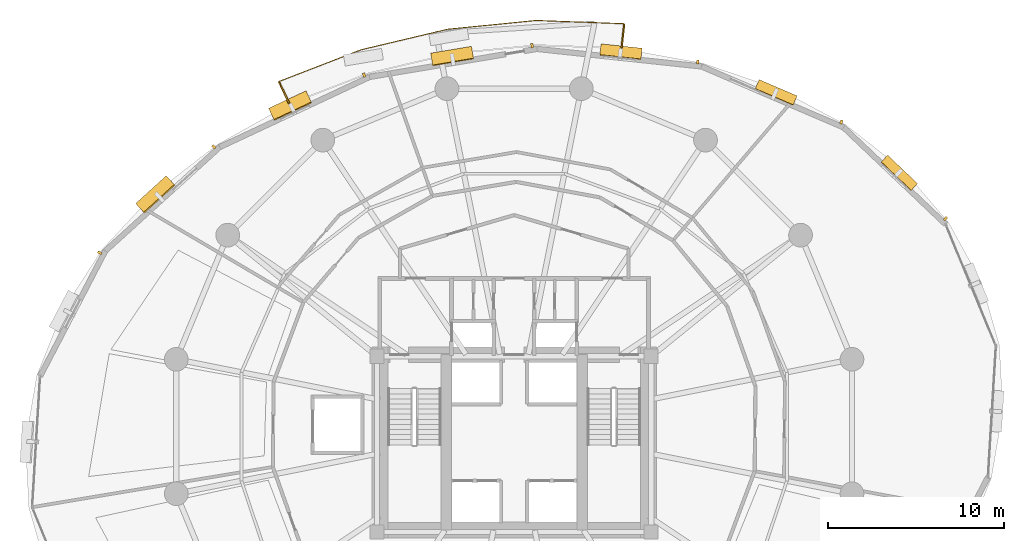
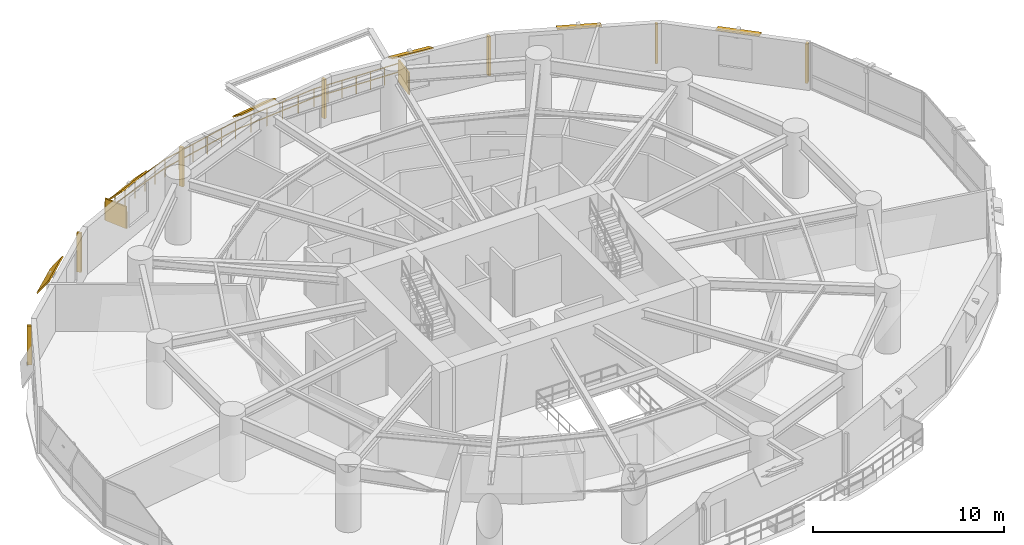
# One storey, part 17 of 17: 15 shading devices, 1 railing.
"""IFC4 building model written with IfcOpenShell, lengths in metres."""

from ifc_helpers import new_model, si_unit, direction, frame, origin, origin_2d, place, context, subcontext, project, spatial, rectangle, extrude, material, layer, layer_set, type_object, element, save


model = new_model("IFC4")

# Units and contexts
model_context = context("Model", 3, precision=1e-05, world=origin(), true_north=direction((0.0, 1.0)))
body_context = subcontext(model_context, "Body", "Model", "MODEL_VIEW")
ifc_project = project(units=[si_unit("LENGTHUNIT", "METRE"), si_unit("AREAUNIT", "SQUARE_METRE"), si_unit("VOLUMEUNIT", "CUBIC_METRE"), si_unit("PLANEANGLEUNIT", "RADIAN"), si_unit("MASSUNIT", "GRAM", prefix="KILO"), si_unit("THERMODYNAMICTEMPERATUREUNIT", "KELVIN"), si_unit("POWERUNIT", "WATT")], contexts=[model_context])

# Site, building, storey
site_placement = place(None, origin())
site = spatial("IfcSite", under=ifc_project, at=site_placement, CompositionType="ELEMENT")
building_placement = place(site_placement, origin())
building = spatial("IfcBuilding", under=site, at=building_placement, Name="Ocrelia Relay Tower", CompositionType="ELEMENT")
storey_placement = place(building_placement, frame((0.0, 0.0, 72.0)))
storey = spatial("IfcBuildingStorey", under=building, at=storey_placement, Name="L16", CompositionType="ELEMENT", Elevation=72.0)

# Railing
ifc_material_1 = material(Name="Steel S355 balustrade", Category="steel")
railing_type = type_object("IfcRailingType", Name="RL-EXT-GUARD-1150", PredefinedType="GUARDRAIL", material=ifc_material_1)
railing_placement = place(storey_placement, frame((21.20751953125, 44.372802734375, 0.0)))
element("IfcRailing", 1, at=railing_placement, inside=storey, type_object=railing_type, Name="L16 Loggia Balcony Guard Rail B1", PredefinedType="GUARDRAIL", context=body_context, shape_type="SweptSolid", body=[
    extrude(rectangle(XDim=0.048095703125, YDim=0.048095703125, at=origin_2d()), frame((0.0, 0.0, 1.1259765625), z_axis=(-0.425214762048, 0.905092484853, 0.0), x_axis=(-0.905092484853, -0.425214762048, 0.0)), (0.0, 0.0, 1.0), 1.3935546875),
    extrude(rectangle(XDim=0.048095703125, YDim=0.048095703125, at=origin_2d()), frame((0.0, 0.0, 0.574951171875), z_axis=(-0.425214762048, 0.905092484853, 0.0), x_axis=(-0.905092484853, -0.425214762048, 0.0)), (0.0, 0.0, 1.0), 1.3935546875),
    extrude(rectangle(XDim=0.048095703125, YDim=0.048095703125, at=origin_2d()), frame((-0.592529296875, 1.26123046875, 1.1259765625), z_axis=(0.932761643449, 0.360493712164, 0.0), x_axis=(-0.360493712164, 0.932761643449, 0.0)), (0.0, 0.0, 1.0), 2.505126953125),
    extrude(rectangle(XDim=0.048095703125, YDim=0.048095703125, at=origin_2d()), frame((-0.592529296875, 1.26123046875, 0.574951171875), z_axis=(0.932761643449, 0.360493712164, 0.0), x_axis=(-0.360493712164, 0.932761643449, 0.0)), (0.0, 0.0, 1.0), 2.505126953125),
    extrude(rectangle(XDim=0.048095703125, YDim=0.048095703125, at=origin_2d()), frame((1.744140625, 2.164306640625, 1.1259765625), z_axis=(0.932781749828, 0.360441683476, 0.0), x_axis=(-0.360441683476, 0.932781749828, 0.0)), (0.0, 0.0, 1.0), 2.5048828125),
    extrude(rectangle(XDim=0.048095703125, YDim=0.048095703125, at=origin_2d()), frame((1.744140625, 2.164306640625, 0.574951171875), z_axis=(0.932781749828, 0.360441683476, 0.0), x_axis=(-0.360441683476, 0.932781749828, 0.0)), (0.0, 0.0, 1.0), 2.5048828125),
    extrude(rectangle(XDim=0.048095703125, YDim=0.048095703125, at=origin_2d()), frame((4.08056640625, 3.067138671875, 1.1259765625), z_axis=(0.97300599376, 0.230779843371, 0.0), x_axis=(-0.230779843371, 0.97300599376, 0.0)), (0.0, 0.0, 1.0), 5.065185546875),
    extrude(rectangle(XDim=0.048095703125, YDim=0.048095703125, at=origin_2d()), frame((4.08056640625, 3.067138671875, 0.574951171875), z_axis=(0.97300599376, 0.230779843371, 0.0), x_axis=(-0.230779843371, 0.97300599376, 0.0)), (0.0, 0.0, 1.0), 5.065185546875),
    extrude(rectangle(XDim=0.048095703125, YDim=0.048095703125, at=origin_2d()), frame((9.009033203125, 4.236083984375, 1.1259765625), z_axis=(0.995130286563, 0.098568315219, 0.0), x_axis=(-0.098568315219, 0.995130286563, 0.0)), (0.0, 0.0, 1.0), 5.065185546875),
    extrude(rectangle(XDim=0.048095703125, YDim=0.048095703125, at=origin_2d()), frame((9.009033203125, 4.236083984375, 0.574951171875), z_axis=(0.995130286563, 0.098568315219, 0.0), x_axis=(-0.098568315219, 0.995130286563, 0.0)), (0.0, 0.0, 1.0), 5.065185546875),
    extrude(rectangle(XDim=0.048095703125, YDim=0.048095703125, at=origin_2d()), frame((14.049560546875, 4.7353515625, 1.1259765625), z_axis=(0.999310286777, -0.037134226008, 0.0), x_axis=(0.037134226008, 0.999310286777, 0.0)), (0.0, 0.0, 1.0), 2.5048828125),
    extrude(rectangle(XDim=0.048095703125, YDim=0.048095703125, at=origin_2d()), frame((14.049560546875, 4.7353515625, 0.574951171875), z_axis=(0.999310286777, -0.037134226008, 0.0), x_axis=(0.037134226008, 0.999310286777, 0.0)), (0.0, 0.0, 1.0), 2.5048828125),
    extrude(rectangle(XDim=0.048095703125, YDim=0.048095703125, at=origin_2d()), frame((16.552734375, 4.642333984375, 1.1259765625), z_axis=(0.999310286777, -0.037134226008, 0.0), x_axis=(0.037134226008, 0.999310286777, 0.0)), (0.0, 0.0, 1.0), 2.5048828125),
    extrude(rectangle(XDim=0.048095703125, YDim=0.048095703125, at=origin_2d()), frame((16.552734375, 4.642333984375, 0.574951171875), z_axis=(0.999310286777, -0.037134226008, 0.0), x_axis=(0.037134226008, 0.999310286777, 0.0)), (0.0, 0.0, 1.0), 2.5048828125),
    extrude(rectangle(XDim=0.048095703125, YDim=0.048095703125, at=origin_2d()), frame((19.055908203125, 4.54931640625, 1.1259765625), z_axis=(-0.107238420866, -0.994233333323, 0.0), x_axis=(0.994233333323, -0.107238420866, 0.0)), (0.0, 0.0, 1.0), 1.393310546875),
    extrude(rectangle(XDim=0.048095703125, YDim=0.048095703125, at=origin_2d()), frame((19.055908203125, 4.54931640625, 0.574951171875), z_axis=(-0.107238420866, -0.994233333323, 0.0), x_axis=(0.994233333323, -0.107238420866, 0.0)), (0.0, 0.0, 1.0), 1.393310546875),
    extrude(rectangle(XDim=0.0419921875, YDim=0.0419921875, at=origin_2d()), origin(), (0.0, 0.0, 1.0), 1.101806640625),
    extrude(rectangle(XDim=0.0419921875, YDim=0.0419921875, at=origin_2d()), frame((-0.29638671875, 0.630615234375, 0.0)), (0.0, 0.0, 1.0), 1.101806640625),
    extrude(rectangle(XDim=0.0419921875, YDim=0.0419921875, at=origin_2d()), frame((-0.592529296875, 1.26123046875, 0.0)), (0.0, 0.0, 1.0), 1.101806640625),
    extrude(rectangle(XDim=0.0419921875, YDim=0.0419921875, at=origin_2d()), frame((0.186279296875, 1.562255859375, 0.0)), (0.0, 0.0, 1.0), 1.101806640625),
    extrude(rectangle(XDim=0.0419921875, YDim=0.0419921875, at=origin_2d()), frame((0.96533203125, 1.86328125, 0.0)), (0.0, 0.0, 1.0), 1.101806640625),
    extrude(rectangle(XDim=0.0419921875, YDim=0.0419921875, at=origin_2d()), frame((1.744140625, 2.164306640625, 0.0)), (0.0, 0.0, 1.0), 1.101806640625),
    extrude(rectangle(XDim=0.0419921875, YDim=0.0419921875, at=origin_2d()), frame((2.52294921875, 2.46533203125, 0.0)), (0.0, 0.0, 1.0), 1.101806640625),
    extrude(rectangle(XDim=0.0419921875, YDim=0.0419921875, at=origin_2d()), frame((3.3017578125, 2.76611328125, 0.0)), (0.0, 0.0, 1.0), 1.101806640625),
    extrude(rectangle(XDim=0.0419921875, YDim=0.0419921875, at=origin_2d()), frame((4.08056640625, 3.067138671875, 0.0)), (0.0, 0.0, 1.0), 1.101806640625),
    extrude(rectangle(XDim=0.0419921875, YDim=0.0419921875, at=origin_2d()), frame((5.066162109375, 3.301025390625, 0.0)), (0.0, 0.0, 1.0), 1.101806640625),
    extrude(rectangle(XDim=0.0419921875, YDim=0.0419921875, at=origin_2d()), frame((6.052001953125, 3.53466796875, 0.0)), (0.0, 0.0, 1.0), 1.101806640625),
    extrude(rectangle(XDim=0.0419921875, YDim=0.0419921875, at=origin_2d()), frame((7.03759765625, 3.7685546875, 0.0)), (0.0, 0.0, 1.0), 1.101806640625),
    extrude(rectangle(XDim=0.0419921875, YDim=0.0419921875, at=origin_2d()), frame((8.0234375, 4.002197265625, 0.0)), (0.0, 0.0, 1.0), 1.101806640625),
    extrude(rectangle(XDim=0.0419921875, YDim=0.0419921875, at=origin_2d()), frame((9.009033203125, 4.236083984375, 0.0)), (0.0, 0.0, 1.0), 1.101806640625),
    extrude(rectangle(XDim=0.0419921875, YDim=0.0419921875, at=origin_2d()), frame((10.01708984375, 4.3359375, 0.0)), (0.0, 0.0, 1.0), 1.101806640625),
    extrude(rectangle(XDim=0.0419921875, YDim=0.0419921875, at=origin_2d()), frame((11.025146484375, 4.435791015625, 0.0)), (0.0, 0.0, 1.0), 1.101806640625),
    extrude(rectangle(XDim=0.0419921875, YDim=0.0419921875, at=origin_2d()), frame((12.033447265625, 4.53564453125, 0.0)), (0.0, 0.0, 1.0), 1.101806640625),
    extrude(rectangle(XDim=0.0419921875, YDim=0.0419921875, at=origin_2d()), frame((13.04150390625, 4.635498046875, 0.0)), (0.0, 0.0, 1.0), 1.101806640625),
    extrude(rectangle(XDim=0.0419921875, YDim=0.0419921875, at=origin_2d()), frame((14.049560546875, 4.7353515625, 0.0)), (0.0, 0.0, 1.0), 1.101806640625),
    extrude(rectangle(XDim=0.0419921875, YDim=0.0419921875, at=origin_2d()), frame((14.884033203125, 4.704345703125, 0.0)), (0.0, 0.0, 1.0), 1.101806640625),
    extrude(rectangle(XDim=0.0419921875, YDim=0.0419921875, at=origin_2d()), frame((15.71826171875, 4.67333984375, 0.0)), (0.0, 0.0, 1.0), 1.101806640625),
    extrude(rectangle(XDim=0.0419921875, YDim=0.0419921875, at=origin_2d()), frame((16.552734375, 4.642333984375, 0.0)), (0.0, 0.0, 1.0), 1.101806640625),
    extrude(rectangle(XDim=0.0419921875, YDim=0.0419921875, at=origin_2d()), frame((17.38720703125, 4.611328125, 0.0)), (0.0, 0.0, 1.0), 1.101806640625),
    extrude(rectangle(XDim=0.0419921875, YDim=0.0419921875, at=origin_2d()), frame((18.221435546875, 4.580322265625, 0.0)), (0.0, 0.0, 1.0), 1.101806640625),
    extrude(rectangle(XDim=0.0419921875, YDim=0.0419921875, at=origin_2d()), frame((19.055908203125, 4.54931640625, 0.0)), (0.0, 0.0, 1.0), 1.101806640625),
    extrude(rectangle(XDim=0.0419921875, YDim=0.0419921875, at=origin_2d()), frame((18.981201171875, 3.856689453125, 0.0)), (0.0, 0.0, 1.0), 1.101806640625),
    extrude(rectangle(XDim=0.0419921875, YDim=0.0419921875, at=origin_2d()), frame((18.906494140625, 3.1640625, 0.0)), (0.0, 0.0, 1.0), 1.101806640625),
])

# Shading devices
ifc_material_2 = material(Name="Perforated oxide terracotta solar screen", Category="masonry")
ifc_layer_1 = layer(ifc_material_2, 0.090087890625, Name="Perforated oxide terracotta solar screen")
ifc_layer_set_1 = layer_set([ifc_layer_1], Name="Perforated oxide terracotta solar screen")
shading_device_type_1 = type_object("IfcShadingDeviceType", Name="SH-BALC-SCREEN", PredefinedType="USERDEFINED", material=ifc_layer_set_1)
for number, where, z_axis, x_axis, name in (
    (2, (40.188720703125, 48.2294921875, 0.0), (0.0, 0.0, 1.0), (0.107359143636, 0.9942203047, 0.0), "L16 Balcony Perforated Terracotta Screen B1-1"),
    (3, (20.9111328125, 45.00341796875, 0.0), (0.0, 0.0, 1.0), (-0.425205953907, 0.905096622887, 0.0), "L16 Balcony Perforated Terracotta Screen B1-2"),
):
    element("IfcShadingDevice", number, at=place(storey_placement, frame(where, z_axis=z_axis, x_axis=x_axis)), inside=storey, type_object=shading_device_type_1, Name=name, ObjectType="SCREEN", PredefinedType="USERDEFINED", context=body_context, shape_type="SweptSolid", body=[
        extrude(rectangle(XDim=1.340087890625, YDim=0.090087890625, at=origin_2d()), origin(), (0.0, 0.0, 1.0), 1.39990234375),
    ])
ifc_material_3 = material(Name="Extruded oxide terracotta vertical baguette", Category="masonry")
shading_device_type_2 = type_object("IfcShadingDeviceType", Name="SH-TERR-BAGUETTE", PredefinedType="USERDEFINED", material=ifc_material_3)
for number, where, z_axis, x_axis, name in (
    (4, (58.547119140625, 37.82861328125, 0.25), (0.0, 0.0, 1.0), (-0.72536473698, 0.688364727704, 0.0), "L16 Oxide Terracotta Vertical Baguette 02"),
    (5, (52.614501953125, 43.324462890625, 0.25), (0.0, 0.0, 1.0), (-0.918881281262, 0.394534144209, 0.0), "L16 Oxide Terracotta Vertical Baguette 03"),
    (6, (44.450439453125, 46.74169921875, 0.25), (0.0, 0.0, 1.0), (-0.994370482059, 0.105959163874, 0.0), "L16 Oxide Terracotta Vertical Baguette 04"),
    (7, (35.0244140625, 47.672607421875, 0.25), (0.0, 0.0, 1.0), (-0.986285656514, -0.165047277333, 0.0), "L16 Oxide Terracotta Vertical Baguette 05"),
    (8, (25.4619140625, 45.99853515625, 0.25), (0.0, 0.0, 1.0), (-0.905700287492, -0.423918611571, 0.0), "L16 Oxide Terracotta Vertical Baguette 06"),
    (9, (16.913818359375, 41.908203125, 0.25), (0.0, 0.0, 1.0), (-0.740364486531, -0.672205643448, 0.0), "L16 Oxide Terracotta Vertical Baguette 07"),
    (10, (10.42138671875, 35.882080078125, 0.25), (0.0, 0.0, 1.0), (-0.461744819502, -0.88701280806, 0.0), "L16 Oxide Terracotta Vertical Baguette 08"),
):
    element("IfcShadingDevice", number, at=place(storey_placement, frame(where, z_axis=z_axis, x_axis=x_axis)), inside=storey, type_object=shading_device_type_2, Name=name, ObjectType="BAGUETTE", PredefinedType="USERDEFINED", context=body_context, shape_type="SweptSolid", body=[
        extrude(rectangle(XDim=0.139892578125, YDim=0.239990234375, at=origin_2d()), origin(), (0.0, 0.0, 1.0), 2.5),
    ])
ifc_material_4 = material(Name="Extruded oxide terracotta fin", Category="masonry")
ifc_layer_2 = layer(ifc_material_4, 0.080078125, Name="Extruded oxide terracotta fin")
ifc_layer_set_2 = layer_set([ifc_layer_2], Name="Extruded oxide terracotta fin")
shading_device_type_3 = type_object("IfcShadingDeviceType", Name="SH-VISOR-FIN-DEEP", PredefinedType="USERDEFINED", material=ifc_layer_set_2)
shading_device_1_placement = place(storey_placement, frame((13.60546875, 39.18359375, 2.81689453125), z_axis=(-0.548951062054, 0.604612405667, 0.577145190037), x_axis=(-0.740364486531, -0.672205643448, 0.0)))
element("IfcShadingDevice", 11, at=shading_device_1_placement, inside=storey, type_object=shading_device_type_3, Name="L16 Canted Terracotta Sun-Visor Fin 07", ObjectType="FIN", PredefinedType="USERDEFINED", context=body_context, shape_type="SweptSolid", body=[
    extrude(rectangle(XDim=2.35009765625, YDim=1.1630859375, at=origin_2d()), origin(), (0.0, 0.0, 1.0), 0.080078125),
])
ifc_layer_3 = layer(ifc_material_4, 0.080078125, Name="Extruded oxide terracotta fin")
ifc_layer_set_3 = layer_set([ifc_layer_3], Name="Extruded oxide terracotta fin")
shading_device_type_4 = type_object("IfcShadingDeviceType", Name="SH-VISOR-FIN-MED", PredefinedType="USERDEFINED", material=ifc_layer_set_3)
shading_device_2_placement = place(storey_placement, frame((30.476318359375, 47.056396484375, 2.8076171875), z_axis=(-0.096054387504, 0.573999560437, 0.813202348287), x_axis=(-0.986285656514, -0.165047277333, 0.0)))
element("IfcShadingDevice", 12, at=shading_device_2_placement, inside=storey, type_object=shading_device_type_4, Name="L16 Canted Terracotta Sun-Visor Fin 05", ObjectType="FIN", PredefinedType="USERDEFINED", context=body_context, shape_type="SweptSolid", body=[
    extrude(rectangle(XDim=2.35009765625, YDim=0.843017578125, at=origin_2d()), origin(), (0.0, 0.0, 1.0), 0.080078125),
])
shading_device_3_placement = place(storey_placement, frame((21.268798828125, 44.234619140625, 2.812255859375), z_axis=(-0.305608894686, 0.652932087014, 0.693024453563), x_axis=(-0.905700287492, -0.423918611571, 0.0)))
element("IfcShadingDevice", 13, at=shading_device_3_placement, inside=storey, type_object=shading_device_type_4, Name="L16 Canted Terracotta Sun-Visor Fin 06", ObjectType="FIN", PredefinedType="USERDEFINED", context=body_context, shape_type="SweptSolid", body=[
    extrude(rectangle(XDim=2.35009765625, YDim=1.01904296875, at=origin_2d()), origin(), (0.0, 0.0, 1.0), 0.080078125),
])
ifc_layer_4 = layer(ifc_material_4, 0.080078125, Name="Extruded oxide terracotta fin")
ifc_layer_set_4 = layer_set([ifc_layer_4], Name="Extruded oxide terracotta fin")
shading_device_type_5 = type_object("IfcShadingDeviceType", Name="SH-VISOR-FIN-SHAL", PredefinedType="USERDEFINED", material=ifc_layer_set_4)
shading_device_4_placement = place(storey_placement, frame((55.908203125, 40.421875, 2.802001953125), z_axis=(0.215685014139, 0.227278210598, 0.949644454342), x_axis=(-0.72536473698, 0.688364727704, 0.0)))
element("IfcShadingDevice", 14, at=shading_device_4_placement, inside=storey, type_object=shading_device_type_5, Name="L16 Canted Terracotta Sun-Visor Fin 02", ObjectType="FIN", PredefinedType="USERDEFINED", context=body_context, shape_type="SweptSolid", body=[
    extrude(rectangle(XDim=2.35009765625, YDim=0.553955078125, at=origin_2d()), origin(), (0.0, 0.0, 1.0), 0.080078125),
])
shading_device_5_placement = place(storey_placement, frame((48.900146484375, 44.99658203125, 2.802490234375), z_axis=(0.13881354365, 0.323300704687, 0.936059535739), x_axis=(-0.918881281262, 0.394534144209, 0.0)))
element("IfcShadingDevice", 15, at=shading_device_5_placement, inside=storey, type_object=shading_device_type_5, Name="L16 Canted Terracotta Sun-Visor Fin 03", ObjectType="FIN", PredefinedType="USERDEFINED", context=body_context, shape_type="SweptSolid", body=[
    extrude(rectangle(XDim=2.35009765625, YDim=0.593017578125, at=origin_2d()), origin(), (0.0, 0.0, 1.0), 0.080078125),
])
shading_device_6_placement = place(storey_placement, frame((40.07666015625, 47.30810546875, 2.80419921875), z_axis=(0.046914291959, 0.440265715634, 0.896641036785), x_axis=(-0.994370482059, 0.105959163874, 0.0)))
element("IfcShadingDevice", 16, at=shading_device_6_placement, inside=storey, type_object=shading_device_type_5, Name="L16 Canted Terracotta Sun-Visor Fin 04", ObjectType="FIN", PredefinedType="USERDEFINED", context=body_context, shape_type="SweptSolid", body=[
    extrude(rectangle(XDim=2.35009765625, YDim=0.68798828125, at=origin_2d()), origin(), (0.0, 0.0, 1.0), 0.080078125),
])

save(model, "model.ifc")
